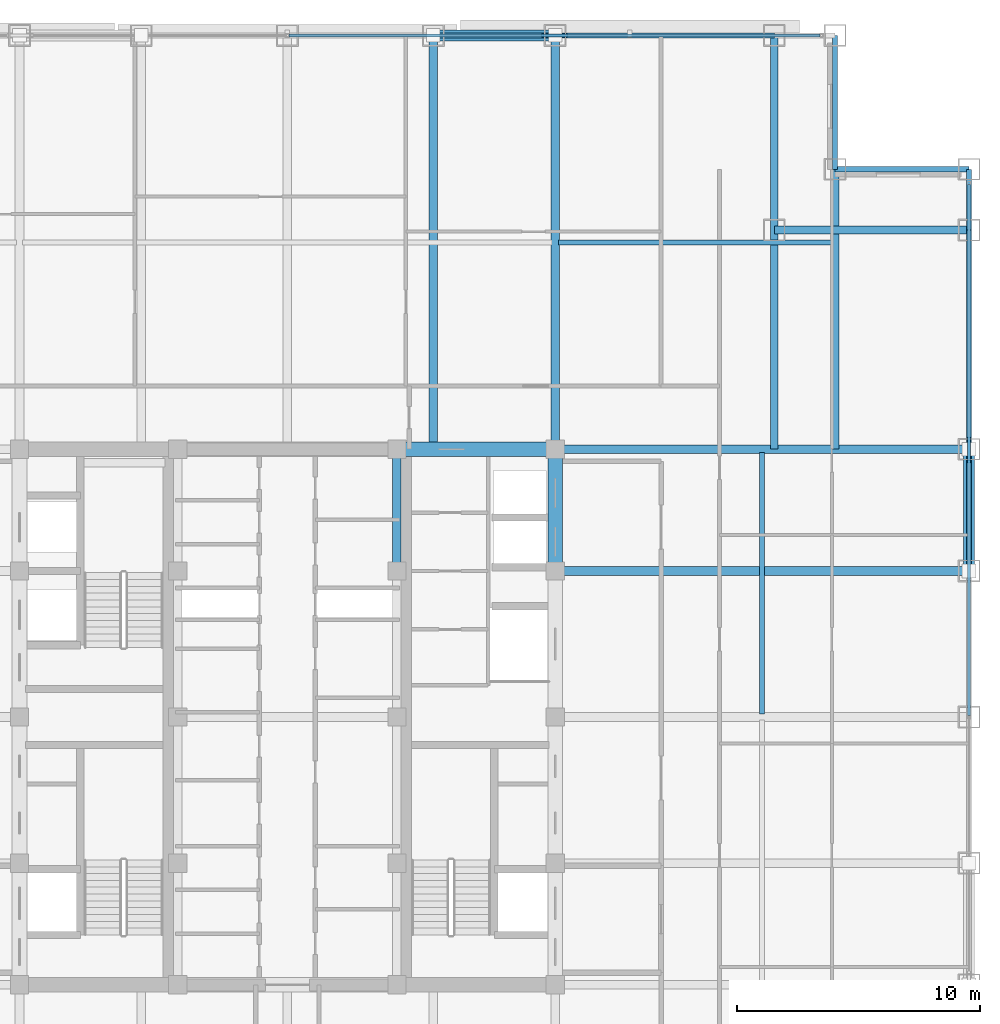
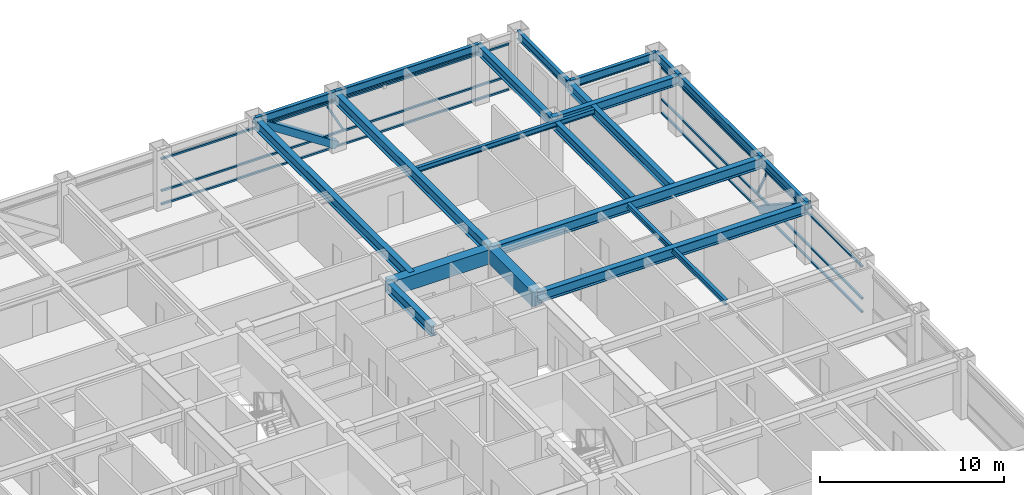
# One storey, part 15 of 27: 19 beams, 10 members, 2 elements without a shape of their own.
"""IFC4 building model written with IfcOpenShell, lengths in metres."""

from ifc_helpers import new_model, si_unit, direction, frame, origin, origin_2d, place, context, subcontext, project, spatial, rectangle, hollow_rectangle, i_section, extrude, source, transform, mapped, material, material_profile, profile_set, type_object, element, aggregate, save


model = new_model("IFC4")

# Units and contexts
model_context = context("Model", 3, precision=1e-05, world=origin(), true_north=direction((0.0, 1.0)))
body_context = subcontext(model_context, "Body", "Model", "MODEL_VIEW")
ifc_project = project(units=[si_unit("LENGTHUNIT", "METRE"), si_unit("AREAUNIT", "SQUARE_METRE"), si_unit("VOLUMEUNIT", "CUBIC_METRE"), si_unit("PLANEANGLEUNIT", "RADIAN"), si_unit("MASSUNIT", "GRAM", prefix="KILO")], contexts=[model_context])

# Site, building, storey
site_placement = place(None, origin())
site = spatial("IfcSite", under=ifc_project, at=site_placement, CompositionType="ELEMENT")
building_placement = place(site_placement, origin())
building = spatial("IfcBuilding", under=site, at=building_placement, Name="Khorayat Bourse Tower", CompositionType="ELEMENT")
storey_placement = place(building_placement, frame((0.0, 0.0, 285.5)))
storey = spatial("IfcBuildingStorey", under=building, at=storey_placement, Name="L67", CompositionType="ELEMENT", Elevation=285.5)

# Beams
ifc_material_1 = material(Name="Steel ASTM A992 Grade 50", Category="steel")
ifc_material_profile_1 = material_profile(ifc_material_1, i_section(OverallWidth=0.35498046875, OverallDepth=0.695068359375, WebThickness=0.015380859375, FlangeThickness=0.02490234375, FilletRadius=0.01806640625, at=origin_2d()), Name="W690X217")
ifc_profile_set_1 = profile_set([ifc_material_profile_1], Name="Steel ASTM A992 Grade 50")
beam_type_1 = type_object("IfcBeamType", Name="BM-GIRD-690", PredefinedType="BEAM", material=ifc_profile_set_1)
shared_shape_1 = source(origin(), body_context, "Body", "SweptSolid", [
    extrude(i_section(OverallWidth=0.35498046875, OverallDepth=0.695068359375, WebThickness=0.015380859375, FlangeThickness=0.02490234375, FilletRadius=0.01806640625, at=origin_2d()), origin(), (0.0, 0.0, 1.0), 5.0),
])
beam_1_placement = place(storey_placement, frame((4.5, 6.0, 3.4326171875), z_axis=(0.0, 1.0, 0.0), x_axis=(-1.0, 0.0, 0.0)))
element("IfcBeam", 1, at=beam_1_placement, inside=storey, type_object=beam_type_1, Name="L67 BM-GIRD-690 BM-L67-CRX-12", PredefinedType="BEAM", context=body_context, shape_type="MappedRepresentation", body=[
    mapped(shared_shape_1, transform((0.0, 0.0, 0.0), scale=1.0)),
])
ifc_material_profile_2 = material_profile(ifc_material_1, i_section(OverallWidth=0.324951171875, OverallDepth=0.615966796875, WebThickness=0.013916015625, FlangeThickness=0.021484375, FilletRadius=0.01611328125, at=origin_2d()), Name="W610X174")
ifc_profile_set_2 = profile_set([ifc_material_profile_2], Name="Steel ASTM A992 Grade 50")
beam_type_2 = type_object("IfcBeamType", Name="BM-GIRD-610", PredefinedType="BEAM", material=ifc_profile_set_2)
shared_shape_2 = source(origin(), body_context, "Body", "SweptSolid", [
    extrude(i_section(OverallWidth=0.324951171875, OverallDepth=0.615966796875, WebThickness=0.013916015625, FlangeThickness=0.021484375, FilletRadius=0.01611328125, at=origin_2d()), origin(), (0.0, 0.0, 1.0), 17.0),
])
beam_2_placement = place(storey_placement, frame((20.0, 11.0, 3.471923828125), z_axis=(0.0, 1.0, 0.0), x_axis=(-1.0, 0.0, 0.0)))
element("IfcBeam", 2, at=beam_2_placement, inside=storey, type_object=beam_type_2, Name="L67 BM-GIRD-610 BM-L67-CNRY-087", PredefinedType="BEAM", context=body_context, shape_type="MappedRepresentation", body=[
    mapped(shared_shape_2, transform((0.0, 0.0, 0.0), scale=1.0)),
])
ifc_material_2 = material(Name="Concrete C60/75", Category="concrete")
ifc_material_profile_3 = material_profile(ifc_material_2, rectangle(XDim=0.60009765625, YDim=0.949951171875, at=origin_2d()), Name="RC 600x950")
ifc_profile_set_3 = profile_set([ifc_material_profile_3], Name="Concrete C60/75")
beam_type_3 = type_object("IfcBeamType", Name="BM-COUP-950", PredefinedType="BEAM", material=ifc_profile_set_3)
shared_shape_3 = source(origin(), body_context, "Body", "SweptSolid", [
    extrude(rectangle(XDim=0.60009765625, YDim=0.949951171875, at=origin_2d()), origin(), (0.0, 0.0, 1.0), 5.0),
])
beam_3_placement = place(storey_placement, frame((11.0, 6.0, 3.304931640625), z_axis=(0.0, 1.0, 0.0), x_axis=(-1.0, 0.0, 0.0)))
element("IfcBeam", 3, at=beam_3_placement, inside=storey, type_object=beam_type_3, Name="L67 BM-COUP-950 BM-L67-CRX-16", PredefinedType="BEAM", context=body_context, shape_type="MappedRepresentation", body=[
    mapped(shared_shape_3, transform((0.0, 0.0, 0.0), scale=1.0)),
])
shared_shape_4 = source(origin(), body_context, "Body", "SweptSolid", [
    extrude(rectangle(XDim=0.60009765625, YDim=0.949951171875, at=origin_2d()), origin(), (0.0, 0.0, 1.0), 6.5),
])
beam_4_placement = place(storey_placement, frame((4.5, 11.0, 3.304931640625), z_axis=(1.0, 0.0, 0.0), x_axis=(0.0, 1.0, 0.0)))
element("IfcBeam", 4, at=beam_4_placement, inside=storey, type_object=beam_type_3, Name="L67 BM-COUP-950 BM-L67-CRY-22", PredefinedType="BEAM", context=body_context, shape_type="MappedRepresentation", body=[
    mapped(shared_shape_4, transform((0.0, 0.0, 0.0), scale=1.0)),
])

# Members
ifc_material_3 = material(Name="Steel EN 10025-4 S460M", Category="steel")
ifc_material_profile_4 = material_profile(ifc_material_3, hollow_rectangle(XDim=0.449951171875, YDim=0.449951171875, WallThickness=0.02490234375, at=origin_2d()), Name="HSS 450x450x25")
ifc_profile_set_4 = profile_set([ifc_material_profile_4], Name="Steel EN 10025-4 S460M")
member_type_1 = type_object("IfcMemberType", Name="MBR-TUBE-450", PredefinedType="BRACE", material=ifc_profile_set_4)
shared_shape_5 = source(origin(), body_context, "Body", "SweptSolid", [
    extrude(hollow_rectangle(XDim=0.449951171875, YDim=0.449951171875, WallThickness=0.02490234375, at=origin_2d()), origin(), (0.0, 0.0, 1.0), 5.979736328125),
])
for number, where, z_axis, x_axis, name in (
    (5, (6.0, 28.0, 3.530029296875), (0.836141536525, 0.0, -0.548513747227), (0.0, 1.0, 0.0), "L67 Perimeter Tube Brace 04"),
    (6, (28.0, 6.0, 3.530029296875), (0.0, 0.836141536525, -0.548513747227), (-1.0, 0.0, 0.0), "L67 Perimeter Tube Brace 08"),
):
    element("IfcMember", number, at=place(storey_placement, frame(where, z_axis=z_axis, x_axis=x_axis)), inside=storey, type_object=member_type_1, Name=name, PredefinedType="BRACE", context=body_context, shape_type="MappedRepresentation", body=[
        mapped(shared_shape_5, transform((0.0, 0.0, 0.0), scale=1.0)),
    ])

# Beams
shared_shape_6 = source(origin(), body_context, "Body", "SweptSolid", [
    extrude(i_section(OverallWidth=0.35498046875, OverallDepth=0.695068359375, WebThickness=0.015380859375, FlangeThickness=0.02490234375, FilletRadius=0.01806640625, at=origin_2d()), origin(), (0.0, 0.0, 1.0), 17.0),
])
for number, where, z_axis, x_axis, name in (
    (7, (6.0, 11.0, 3.4326171875), (0.0, 1.0, 0.0), (-1.0, 0.0, 0.0), "L67 BM-GIRD-690 BM-L67-RADY-070"),
    (8, (11.0, 11.0, 3.4326171875), (0.0, 1.0, 0.0), (-1.0, 0.0, 0.0), "L67 BM-GIRD-690 BM-L67-RADY-072"),
    (9, (11.0, 6.0, 3.4326171875), (1.0, 0.0, 0.0), (0.0, 1.0, 0.0), "L67 BM-GIRD-690 BM-L67-RADX-080"),
    (10, (11.0, 11.0, 3.4326171875), (1.0, 0.0, 0.0), (0.0, 1.0, 0.0), "L67 BM-GIRD-690 BM-L67-RADX-082"),
):
    element("IfcBeam", number, at=place(storey_placement, frame(where, z_axis=z_axis, x_axis=x_axis)), inside=storey, type_object=beam_type_1, Name=name, PredefinedType="BEAM", context=body_context, shape_type="MappedRepresentation", body=[
        mapped(shared_shape_6, transform((0.0, 0.0, 0.0), scale=1.0)),
    ])
shared_shape_7 = source(origin(), body_context, "Body", "SweptSolid", [
    extrude(i_section(OverallWidth=0.324951171875, OverallDepth=0.615966796875, WebThickness=0.013916015625, FlangeThickness=0.021484375, FilletRadius=0.01611328125, at=origin_2d()), origin(), (0.0, 0.0, 1.0), 11.5),
])
beam_5_placement = place(storey_placement, frame((22.5, 11.0, 3.471923828125), z_axis=(0.0, 1.0, 0.0), x_axis=(-1.0, 0.0, 0.0)))
element("IfcBeam", 11, at=beam_5_placement, inside=storey, type_object=beam_type_2, Name="L67 BM-GIRD-610 BM-L67-CNRY-091", PredefinedType="BEAM", context=body_context, shape_type="MappedRepresentation", body=[
    mapped(shared_shape_7, transform((0.0, 0.0, 0.0), scale=1.0)),
])
shared_shape_8 = source(origin(), body_context, "Body", "SweptSolid", [
    extrude(i_section(OverallWidth=0.324951171875, OverallDepth=0.615966796875, WebThickness=0.013916015625, FlangeThickness=0.021484375, FilletRadius=0.01611328125, at=origin_2d()), origin(), (0.0, 0.0, 1.0), 8.0),
])
beam_6_placement = place(storey_placement, frame((20.0, 20.0, 3.471923828125), z_axis=(1.0, 0.0, 0.0), x_axis=(0.0, 1.0, 0.0)))
element("IfcBeam", 12, at=beam_6_placement, inside=storey, type_object=beam_type_2, Name="L67 BM-GIRD-610 BM-L67-CNRX-094", PredefinedType="BEAM", context=body_context, shape_type="MappedRepresentation", body=[
    mapped(shared_shape_8, transform((0.0, 0.0, 0.0), scale=1.0)),
])
ifc_material_profile_5 = material_profile(ifc_material_1, i_section(OverallWidth=0.202880859375, OverallDepth=0.346923828125, WebThickness=0.0078125, FlangeThickness=0.013427734375, FilletRadius=0.010009765625, at=origin_2d()), Name="W360X64")
ifc_profile_set_5 = profile_set([ifc_material_profile_5], Name="Steel ASTM A992 Grade 50")
beam_type_4 = type_object("IfcBeamType", Name="BM-JOIST-360", PredefinedType="JOIST", material=ifc_profile_set_5)
shared_shape_9 = source(origin(), body_context, "Body", "SweptSolid", [
    extrude(i_section(OverallWidth=0.202880859375, OverallDepth=0.346923828125, WebThickness=0.0078125, FlangeThickness=0.013427734375, FilletRadius=0.010009765625, at=origin_2d()), origin(), (0.0, 0.0, 1.0), 11.240234375),
])
beam_7_placement = place(storey_placement, frame((11.1298828125, 19.5, 3.6064453125), z_axis=(1.0, 0.0, 0.0), x_axis=(0.0, 1.0, 0.0)))
element("IfcBeam", 13, at=beam_7_placement, inside=storey, type_object=beam_type_4, Name="L67 BM-JOIST-360 BM-L67-JSTX-101", PredefinedType="JOIST", context=body_context, shape_type="MappedRepresentation", body=[
    mapped(shared_shape_9, transform((0.0, 0.0, 0.0), scale=1.0)),
])
shared_shape_10 = source(origin(), body_context, "Body", "SweptSolid", [
    extrude(i_section(OverallWidth=0.202880859375, OverallDepth=0.346923828125, WebThickness=0.0078125, FlangeThickness=0.013427734375, FilletRadius=0.010009765625, at=origin_2d()), origin(), (0.0, 0.0, 1.0), 10.740234375),
])
beam_8_placement = place(storey_placement, frame((19.5, 0.1298828125, 3.6064453125), z_axis=(0.0, 1.0, 0.0), x_axis=(-1.0, 0.0, 0.0)))
element("IfcBeam", 14, at=beam_8_placement, inside=storey, type_object=beam_type_4, Name="L67 BM-JOIST-360 BM-L67-JSTY-105", PredefinedType="JOIST", context=body_context, shape_type="MappedRepresentation", body=[
    mapped(shared_shape_10, transform((0.0, 0.0, 0.0), scale=1.0)),
])
ifc_material_profile_6 = material_profile(ifc_material_1, i_section(OverallWidth=0.214111328125, OverallDepth=0.549072265625, WebThickness=0.0146484375, FlangeThickness=0.023681640625, FilletRadius=0.013916015625, at=origin_2d()), Name="W530X138")
ifc_profile_set_6 = profile_set([ifc_material_profile_6], Name="Steel ASTM A992 Grade 50")
beam_type_5 = type_object("IfcBeamType", Name="BM-SPAN-530", PredefinedType="SPANDREL", material=ifc_profile_set_6)
shared_shape_11 = source(origin(), body_context, "Body", "SweptSolid", [
    extrude(i_section(OverallWidth=0.214111328125, OverallDepth=0.549072265625, WebThickness=0.0146484375, FlangeThickness=0.023681640625, FilletRadius=0.013916015625, at=origin_2d()), origin(), (0.0, 0.0, 1.0), 2.5),
])
beam_9_placement = place(storey_placement, frame((28.0, 20.0, 3.505615234375), z_axis=(0.0, 1.0, 0.0), x_axis=(-1.0, 0.0, 0.0)))
element("IfcBeam", 15, at=beam_9_placement, inside=storey, type_object=beam_type_5, Name="L67 BM-SPAN-530 BM-L67-SPN-041", PredefinedType="SPANDREL", context=body_context, shape_type="MappedRepresentation", body=[
    mapped(shared_shape_11, transform((0.0, 0.0, 0.0), scale=1.0)),
])
shared_shape_12 = source(origin(), body_context, "Body", "SweptSolid", [
    extrude(i_section(OverallWidth=0.214111328125, OverallDepth=0.549072265625, WebThickness=0.0146484375, FlangeThickness=0.023681640625, FilletRadius=0.013916015625, at=origin_2d()), origin(), (0.0, 0.0, 1.0), 9.0),
])
for number, where, z_axis, x_axis, name in (
    (16, (28.0, 11.0, 3.505615234375), (0.0, 1.0, 0.0), (-1.0, 0.0, 0.0), "L67 BM-SPAN-530 BM-L67-SPN-040"),
    (17, (11.0, 28.0, 3.505615234375), (1.0, 0.0, 0.0), (0.0, 1.0, 0.0), "L67 BM-SPAN-530 BM-L67-SPN-045"),
):
    element("IfcBeam", number, at=place(storey_placement, frame(where, z_axis=z_axis, x_axis=x_axis)), inside=storey, type_object=beam_type_5, Name=name, PredefinedType="SPANDREL", context=body_context, shape_type="MappedRepresentation", body=[
        mapped(shared_shape_12, transform((0.0, 0.0, 0.0), scale=1.0)),
    ])
shared_shape_13 = source(origin(), body_context, "Body", "SweptSolid", [
    extrude(i_section(OverallWidth=0.214111328125, OverallDepth=0.549072265625, WebThickness=0.0146484375, FlangeThickness=0.023681640625, FilletRadius=0.013916015625, at=origin_2d()), origin(), (0.0, 0.0, 1.0), 5.0),
])
for number, where, z_axis, x_axis, name in (
    (18, (28.0, 6.0, 3.505615234375), (0.0, 1.0, 0.0), (-1.0, 0.0, 0.0), "L67 BM-SPAN-530 BM-L67-SPN-039"),
    (19, (6.0, 28.0, 3.505615234375), (1.0, 0.0, 0.0), (0.0, 1.0, 0.0), "L67 BM-SPAN-530 BM-L67-SPN-046"),
):
    element("IfcBeam", number, at=place(storey_placement, frame(where, z_axis=z_axis, x_axis=x_axis)), inside=storey, type_object=beam_type_5, Name=name, PredefinedType="SPANDREL", context=body_context, shape_type="MappedRepresentation", body=[
        mapped(shared_shape_13, transform((0.0, 0.0, 0.0), scale=1.0)),
    ])
shared_shape_14 = source(origin(), body_context, "Body", "SweptSolid", [
    extrude(i_section(OverallWidth=0.214111328125, OverallDepth=0.549072265625, WebThickness=0.0146484375, FlangeThickness=0.023681640625, FilletRadius=0.013916015625, at=origin_2d()), origin(), (0.0, 0.0, 1.0), 5.5),
])
for number, where, z_axis, x_axis, name in (
    (20, (22.5, 22.5, 3.505615234375), (1.0, 0.0, 0.0), (0.0, 1.0, 0.0), "L67 BM-SPAN-530 BM-L67-SPN-042"),
    (21, (22.5, 22.5, 3.505615234375), (0.0, 1.0, 0.0), (-1.0, 0.0, 0.0), "L67 BM-SPAN-530 BM-L67-SPN-043"),
):
    element("IfcBeam", number, at=place(storey_placement, frame(where, z_axis=z_axis, x_axis=x_axis)), inside=storey, type_object=beam_type_5, Name=name, PredefinedType="SPANDREL", context=body_context, shape_type="MappedRepresentation", body=[
        mapped(shared_shape_14, transform((0.0, 0.0, 0.0), scale=1.0)),
    ])

# Curtain wall, member
ifc_material_4 = material(Name="Aluminium EN AW-6063 T6", Category="aluminium")
curtain_wall_type = type_object("IfcCurtainWallType", Name="CW-SYS-04", PredefinedType="NOTDEFINED", material=ifc_material_4)
curtain_wall_1_placement = place(storey_placement, origin())
curtain_wall_1 = element("IfcCurtainWall", 22, at=curtain_wall_1_placement, inside=storey, type_object=curtain_wall_type, Name="L67 Curtain Wall CW-L67-N1", PredefinedType="NOTDEFINED")
ifc_material_profile_7 = material_profile(ifc_material_4, hollow_rectangle(XDim=0.1201171875, YDim=0.1201171875, WallThickness=0.0048828125, at=origin_2d()), Name="ALU 120x120x5")
ifc_profile_set_7 = profile_set([ifc_material_profile_7], Name="Aluminium EN AW-6063 T6")
member_type_2 = type_object("IfcMemberType", Name="CWM-DIAG-120", PredefinedType="MULLION", material=ifc_profile_set_7)
shared_shape_15 = source(origin(), body_context, "Body", "SweptSolid", [
    extrude(hollow_rectangle(XDim=0.1201171875, YDim=0.1201171875, WallThickness=0.0048828125, at=origin_2d()), origin(), (0.0, 0.0, 1.0), 2.0791015625),
])
member_1_placement = place(storey_placement, frame((11.4541015625, 28.0, 1.090087890625), z_axis=(-0.465717394116, 0.0, 0.884933505309), x_axis=(0.0, -1.0, 0.0)))
member_1 = element("IfcMember", 23, at=member_1_placement, type_object=member_type_2, Name="CW-L67-N1 Faceted Diagonal Mullion 2", PredefinedType="MULLION", context=body_context, shape_type="MappedRepresentation", body=[
    mapped(shared_shape_15, transform((0.0, 0.0, 0.0), scale=1.0)),
])

curtain_wall_2_placement = place(storey_placement, origin())
curtain_wall_2 = element("IfcCurtainWall", 24, at=curtain_wall_2_placement, inside=storey, type_object=curtain_wall_type, Name="L67 Curtain Wall CW-L67-E1", PredefinedType="NOTDEFINED")
member_2_placement = place(storey_placement, frame((28.0, 11.4541015625, 1.090087890625), z_axis=(0.0, -0.465717394116, 0.884933505309), x_axis=(1.0, 0.0, 0.0)))
member_2 = element("IfcMember", 25, at=member_2_placement, type_object=member_type_2, Name="CW-L67-E1 Faceted Diagonal Mullion 2", PredefinedType="MULLION", context=body_context, shape_type="MappedRepresentation", body=[
    mapped(shared_shape_15, transform((0.0, 0.0, 0.0), scale=1.0)),
])

# Member
ifc_material_profile_8 = material_profile(ifc_material_4, hollow_rectangle(XDim=0.1201171875, YDim=0.1201171875, WallThickness=0.0048828125, at=origin_2d()), Name="ALU 120x120x5")
ifc_profile_set_8 = profile_set([ifc_material_profile_8], Name="Aluminium EN AW-6063 T6")
member_type_3 = type_object("IfcMemberType", Name="CWT-HORZ-120", PredefinedType="USERDEFINED", material=ifc_profile_set_8)
shared_shape_16 = source(origin(), body_context, "Body", "SweptSolid", [
    extrude(hollow_rectangle(XDim=0.1201171875, YDim=0.1201171875, WallThickness=0.0048828125, at=origin_2d()), origin(), (0.0, 0.0, 1.0), 21.81982421875),
])
member_3_placement = place(storey_placement, frame((0.06005859375, 28.0, 0.06005859375), z_axis=(1.0, 0.0, 0.0), x_axis=(0.0, 1.0, 0.0)))
member_3 = element("IfcMember", 26, at=member_3_placement, type_object=member_type_3, Name="CW-L67-N1 Horizontal Transom 2-1", ObjectType="TRANSOM", PredefinedType="USERDEFINED", context=body_context, shape_type="MappedRepresentation", body=[
    mapped(shared_shape_16, transform((0.0, 0.0, 0.0), scale=1.0)),
])

member_4_placement = place(storey_placement, frame((0.06005859375, 28.0, 0.949951171875), z_axis=(1.0, 0.0, 0.0), x_axis=(0.0, 1.0, 0.0)))
member_4 = element("IfcMember", 27, at=member_4_placement, type_object=member_type_3, Name="CW-L67-N1 Horizontal Transom 2-2", ObjectType="TRANSOM", PredefinedType="USERDEFINED", context=body_context, shape_type="MappedRepresentation", body=[
    mapped(shared_shape_16, transform((0.0, 0.0, 0.0), scale=1.0)),
])

member_5_placement = place(storey_placement, frame((0.06005859375, 28.0, 3.070068359375), z_axis=(1.0, 0.0, 0.0), x_axis=(0.0, 1.0, 0.0)))
member_5 = element("IfcMember", 28, at=member_5_placement, type_object=member_type_3, Name="CW-L67-N1 Horizontal Transom 2-3", ObjectType="TRANSOM", PredefinedType="USERDEFINED", context=body_context, shape_type="MappedRepresentation", body=[
    mapped(shared_shape_16, transform((0.0, 0.0, 0.0), scale=1.0)),
])

aggregate(curtain_wall_1, [member_3, member_4, member_5, member_1])

member_6_placement = place(storey_placement, frame((28.0, 0.06005859375, 0.06005859375), z_axis=(0.0, 1.0, 0.0), x_axis=(-1.0, 0.0, 0.0)))
member_6 = element("IfcMember", 29, at=member_6_placement, type_object=member_type_3, Name="CW-L67-E1 Horizontal Transom 2-1", ObjectType="TRANSOM", PredefinedType="USERDEFINED", context=body_context, shape_type="MappedRepresentation", body=[
    mapped(shared_shape_16, transform((0.0, 0.0, 0.0), scale=1.0)),
])

member_7_placement = place(storey_placement, frame((28.0, 0.06005859375, 0.949951171875), z_axis=(0.0, 1.0, 0.0), x_axis=(-1.0, 0.0, 0.0)))
member_7 = element("IfcMember", 30, at=member_7_placement, type_object=member_type_3, Name="CW-L67-E1 Horizontal Transom 2-2", ObjectType="TRANSOM", PredefinedType="USERDEFINED", context=body_context, shape_type="MappedRepresentation", body=[
    mapped(shared_shape_16, transform((0.0, 0.0, 0.0), scale=1.0)),
])

member_8_placement = place(storey_placement, frame((28.0, 0.06005859375, 3.070068359375), z_axis=(0.0, 1.0, 0.0), x_axis=(-1.0, 0.0, 0.0)))
member_8 = element("IfcMember", 31, at=member_8_placement, type_object=member_type_3, Name="CW-L67-E1 Horizontal Transom 2-3", ObjectType="TRANSOM", PredefinedType="USERDEFINED", context=body_context, shape_type="MappedRepresentation", body=[
    mapped(shared_shape_16, transform((0.0, 0.0, 0.0), scale=1.0)),
])

aggregate(curtain_wall_2, [member_6, member_7, member_8, member_2])

save(model, "model.ifc")
